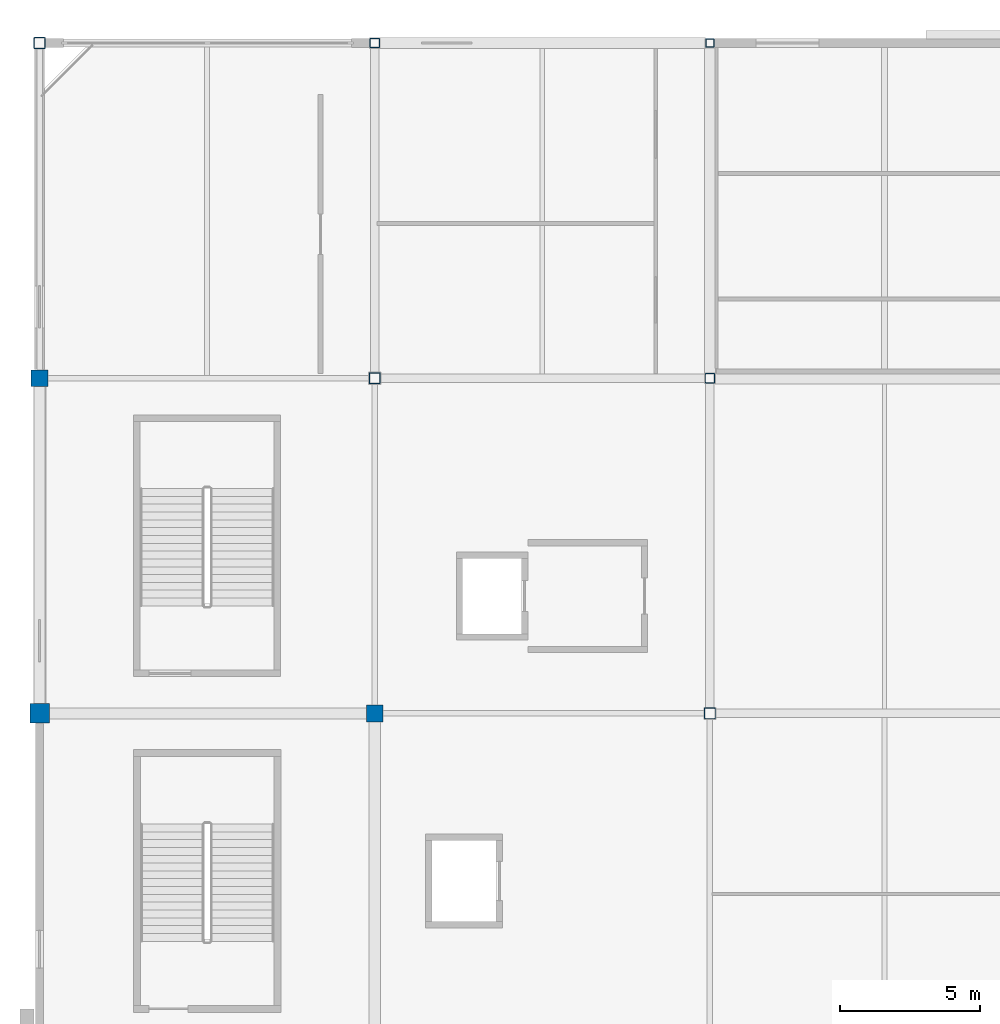
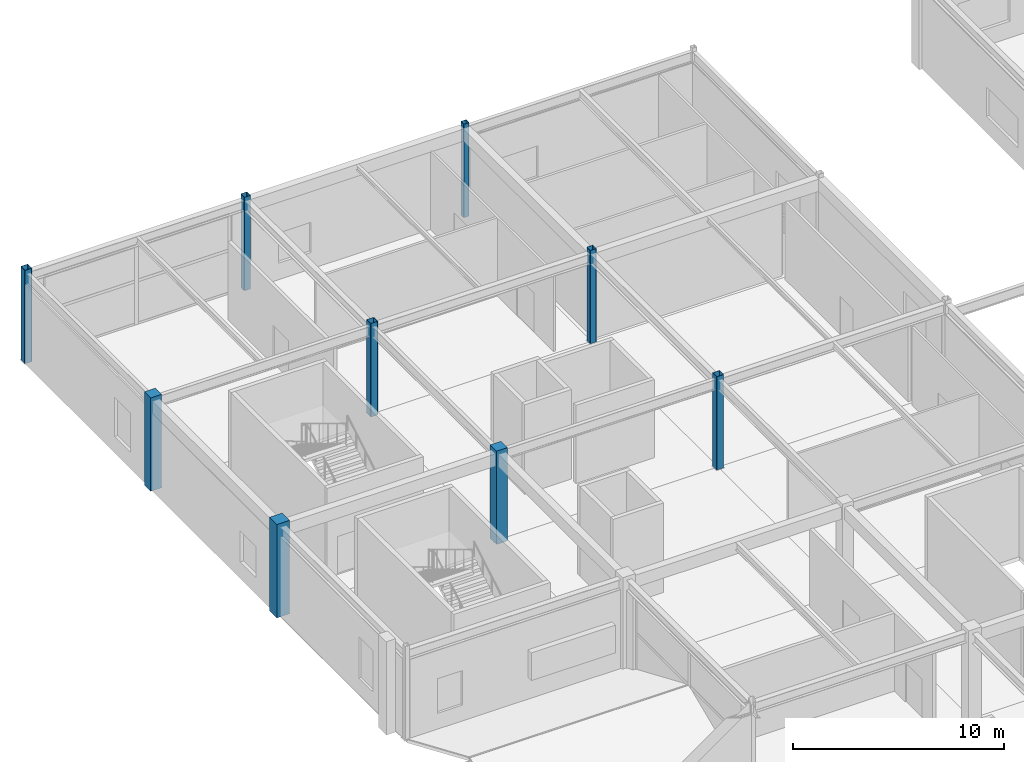
# One storey, part 19 of 105: 9 columns.
"""IFC4 building model written with IfcOpenShell, lengths in metres."""

from ifc_helpers import new_model, si_unit, direction, frame, origin, origin_2d, place, context, subcontext, project, spatial, rectangle, hollow_rectangle, extrude, material, material_profile, profile_set, type_object, element, save


model = new_model("IFC4")

# Units and contexts
model_context = context("Model", 3, precision=1e-05, world=origin(), true_north=direction((0.0, 1.0)))
body_context = subcontext(model_context, "Body", "Model", "MODEL_VIEW")
ifc_project = project(units=[si_unit("LENGTHUNIT", "METRE"), si_unit("AREAUNIT", "SQUARE_METRE"), si_unit("VOLUMEUNIT", "CUBIC_METRE"), si_unit("PLANEANGLEUNIT", "RADIAN"), si_unit("MASSUNIT", "GRAM", prefix="KILO")], contexts=[model_context])

# Site, building, storey
site_placement = place(None, origin())
site = spatial("IfcSite", under=ifc_project, at=site_placement, CompositionType="ELEMENT")
building_placement = place(site_placement, origin())
building = spatial("IfcBuilding", under=site, at=building_placement, Name="Kazenohara Klinker Stadium", CompositionType="ELEMENT")
storey_placement = place(building_placement, frame((0.0, 0.0, 20.39990234375)))
storey = spatial("IfcBuildingStorey", under=building, at=storey_placement, Name="L04", CompositionType="ELEMENT", Elevation=20.39990234375)

# Columns
ifc_material_1 = material(Name="Concrete C40/50", Category="concrete")
ifc_material_profile_1 = material_profile(ifc_material_1, rectangle(XDim=0.699951171875, YDim=0.699951171875, at=origin_2d()), Name="RC-COL-700x700")
ifc_profile_set_1 = profile_set([ifc_material_profile_1], Name="Concrete C40/50")
column_type_1 = type_object("IfcColumnType", Name="COL-RC06", PredefinedType="COLUMN", material=ifc_profile_set_1)
column_1_placement = place(storey_placement, frame((0.0, 144.0, 0.0), z_axis=(0.0, 0.0, 1.0), x_axis=(1.0, 0.0, 0.0)))
element("IfcColumn", 1, at=column_1_placement, inside=storey, type_object=column_type_1, Name="Column C06 L04 1/N", PredefinedType="COLUMN", context=body_context, shape_type="SweptSolid", body=[
    extrude(rectangle(XDim=0.699951171875, YDim=0.699951171875, at=origin_2d()), origin(), (0.0, 0.0, 1.0), 5.400146484375),
])
ifc_material_profile_2 = material_profile(ifc_material_1, rectangle(XDim=0.60009765625, YDim=0.60009765625, at=origin_2d()), Name="RC-COL-600x600")
ifc_profile_set_2 = profile_set([ifc_material_profile_2], Name="Concrete C40/50")
column_type_2 = type_object("IfcColumnType", Name="COL-RC07", PredefinedType="COLUMN", material=ifc_profile_set_2)
for number, where, z_axis, x_axis, name in (
    (2, (0.0, 156.0, 0.0), (0.0, 0.0, 1.0), (1.0, 0.0, 0.0), "Column C07 L04 1/P"),
    (3, (12.0, 144.0, 0.0), (0.0, 0.0, 1.0), (1.0, 0.0, 0.0), "Column C07 L04 2/N"),
):
    element("IfcColumn", number, at=place(storey_placement, frame(where, z_axis=z_axis, x_axis=x_axis)), inside=storey, type_object=column_type_2, Name=name, PredefinedType="COLUMN", context=body_context, shape_type="SweptSolid", body=[
        extrude(rectangle(XDim=0.60009765625, YDim=0.60009765625, at=origin_2d()), origin(), (0.0, 0.0, 1.0), 5.400146484375),
    ])
ifc_material_2 = material(Name="Steel S355", Category="steel")
ifc_material_profile_3 = material_profile(ifc_material_2, hollow_rectangle(XDim=0.39990234375, YDim=0.39990234375, WallThickness=0.01611328125, InnerFilletRadius=0.01611328125, OuterFilletRadius=0.031982421875, at=origin_2d()), Name="SHS-400x400x16")
ifc_profile_set_3 = profile_set([ifc_material_profile_3], Name="Steel S355")
column_type_3 = type_object("IfcColumnType", Name="COL-ST01", PredefinedType="COLUMN", material=ifc_profile_set_3)
for number, where, z_axis, x_axis, name in (
    (4, (0.0, 168.0, 0.0), (0.0, 0.0, 1.0), (1.0, 0.0, 0.0), "Column SC01 L04 1/Q"),
    (5, (12.0, 156.0, 0.0), (0.0, 0.0, 1.0), (1.0, 0.0, 0.0), "Column SC01 L04 2/P"),
    (6, (24.0, 144.0, 0.0), (0.0, 0.0, 1.0), (1.0, 0.0, 0.0), "Column SC01 L04 3/N"),
):
    element("IfcColumn", number, at=place(storey_placement, frame(where, z_axis=z_axis, x_axis=x_axis)), inside=storey, type_object=column_type_3, Name=name, PredefinedType="COLUMN", context=body_context, shape_type="SweptSolid", body=[
        extrude(hollow_rectangle(XDim=0.39990234375, YDim=0.39990234375, WallThickness=0.01611328125, InnerFilletRadius=0.01611328125, OuterFilletRadius=0.031982421875, at=origin_2d()), origin(), (0.0, 0.0, 1.0), 5.400146484375),
    ])
ifc_material_profile_4 = material_profile(ifc_material_2, hollow_rectangle(XDim=0.35009765625, YDim=0.35009765625, WallThickness=0.01611328125, InnerFilletRadius=0.01611328125, OuterFilletRadius=0.031982421875, at=origin_2d()), Name="SHS-350x350x16")
ifc_profile_set_4 = profile_set([ifc_material_profile_4], Name="Steel S355")
column_type_4 = type_object("IfcColumnType", Name="COL-ST02", PredefinedType="COLUMN", material=ifc_profile_set_4)
for number, where, z_axis, x_axis, name in (
    (7, (12.0, 168.0, 0.0), (0.0, 0.0, 1.0), (1.0, 0.0, 0.0), "Column SC02 L04 2/Q"),
    (8, (24.0, 156.0, 0.0), (0.0, 0.0, 1.0), (1.0, 0.0, 0.0), "Column SC02 L04 3/P"),
):
    element("IfcColumn", number, at=place(storey_placement, frame(where, z_axis=z_axis, x_axis=x_axis)), inside=storey, type_object=column_type_4, Name=name, PredefinedType="COLUMN", context=body_context, shape_type="SweptSolid", body=[
        extrude(hollow_rectangle(XDim=0.35009765625, YDim=0.35009765625, WallThickness=0.01611328125, InnerFilletRadius=0.01611328125, OuterFilletRadius=0.031982421875, at=origin_2d()), origin(), (0.0, 0.0, 1.0), 5.400146484375),
    ])
ifc_material_profile_5 = material_profile(ifc_material_2, hollow_rectangle(XDim=0.300048828125, YDim=0.300048828125, WallThickness=0.011962890625, InnerFilletRadius=0.011962890625, OuterFilletRadius=0.02392578125, at=origin_2d()), Name="SHS-300x300x12")
ifc_profile_set_5 = profile_set([ifc_material_profile_5], Name="Steel S355")
column_type_5 = type_object("IfcColumnType", Name="COL-ST03", PredefinedType="COLUMN", material=ifc_profile_set_5)
column_2_placement = place(storey_placement, frame((24.0, 168.0, 0.0), z_axis=(0.0, 0.0, 1.0), x_axis=(1.0, 0.0, 0.0)))
element("IfcColumn", 9, at=column_2_placement, inside=storey, type_object=column_type_5, Name="Column SC03 L04 3/Q", PredefinedType="COLUMN", context=body_context, shape_type="SweptSolid", body=[
    extrude(hollow_rectangle(XDim=0.300048828125, YDim=0.300048828125, WallThickness=0.011962890625, InnerFilletRadius=0.011962890625, OuterFilletRadius=0.02392578125, at=origin_2d()), origin(), (0.0, 0.0, 1.0), 5.400146484375),
])

save(model, "model.ifc")
